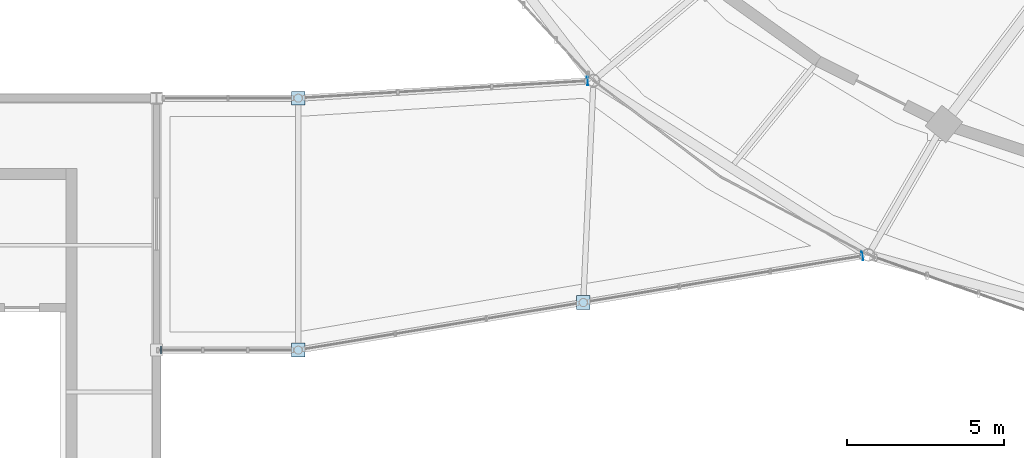
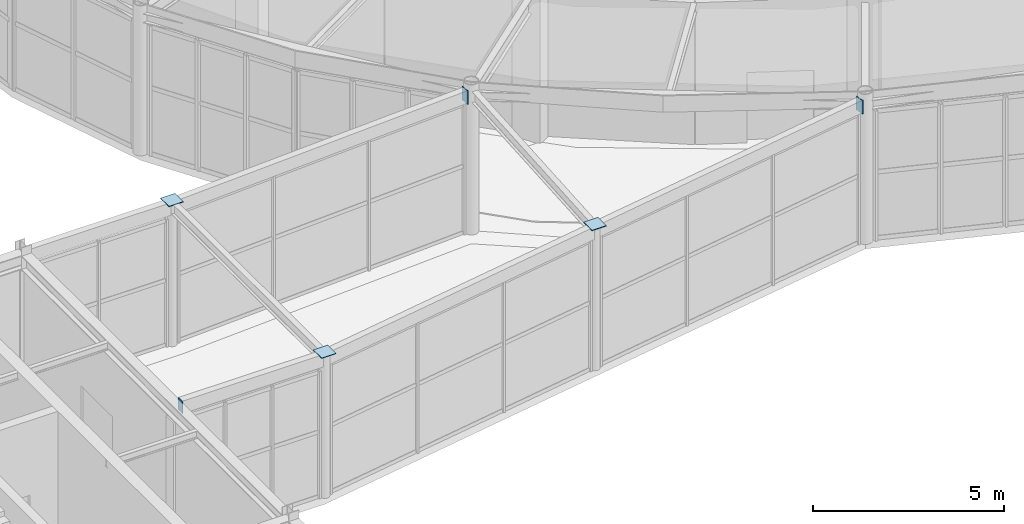
# One storey, part 76 of 100: 6 plates.
"""IFC4 building model written with IfcOpenShell, lengths in metres."""

from ifc_helpers import new_model, si_unit, direction, frame, origin, origin_2d, place, context, subcontext, project, spatial, rectangle, extrude, material, layer, layer_set, type_object, element, save


model = new_model("IFC4")

# Units and contexts
model_context = context("Model", 3, precision=1e-05, world=origin(), true_north=direction((0.0, 1.0)))
body_context = subcontext(model_context, "Body", "Model", "MODEL_VIEW")
ifc_project = project(units=[si_unit("LENGTHUNIT", "METRE"), si_unit("AREAUNIT", "SQUARE_METRE"), si_unit("VOLUMEUNIT", "CUBIC_METRE"), si_unit("PLANEANGLEUNIT", "RADIAN"), si_unit("MASSUNIT", "GRAM", prefix="KILO")], contexts=[model_context])

# Site, building, storey
site_placement = place(None, origin())
site = spatial("IfcSite", under=ifc_project, at=site_placement, CompositionType="ELEMENT")
building_placement = place(site_placement, origin())
building = spatial("IfcBuilding", under=site, at=building_placement, Name="Tarnveldt Headland Concert Hall", CompositionType="ELEMENT")
storey_placement = place(building_placement, frame((0.0, 0.0, 4.800048828125)))
storey = spatial("IfcBuildingStorey", under=building, at=storey_placement, Name="L01", CompositionType="ELEMENT", Elevation=4.800048828125)

# Plates
ifc_material = material(Name="Steel S355", Category="steel")
ifc_layer_1 = layer(ifc_material, 0.02001953125, Name="Steel S355", Category="steel")
ifc_layer_set_1 = layer_set([ifc_layer_1], Name="Steel S355")
plate_type_1 = type_object("IfcPlateType", Name="PL-CAP240", PredefinedType="SHEET", material=ifc_layer_set_1)
plate_placement = place(storey_placement, frame((44.639892578125, 30.0, 4.215087890625), z_axis=(0.0, 0.0, 1.0), x_axis=(1.0, 0.0, 0.0)))
element("IfcPlate", 1, at=plate_placement, inside=storey, type_object=plate_type_1, Name="Link beam west end cap plate L01-30", PredefinedType="SHEET", context=body_context, shape_type="SweptSolid", body=[
    extrude(rectangle(XDim=0.02001953125, YDim=0.239990234375, at=origin_2d()), origin(), (0.0, 0.0, 1.0), 0.3798828125),
])
ifc_layer_2 = layer(ifc_material, 0.02001953125, Name="Steel S355", Category="steel")
ifc_layer_set_2 = layer_set([ifc_layer_2], Name="Steel S355")
plate_type_2 = type_object("IfcPlateType", Name="PL-CAP280", PredefinedType="SHEET", material=ifc_layer_set_2)
for number, where, z_axis, x_axis, name in (
    (2, (66.91259765625, 32.9912109375, 4.18505859375), (0.0, 0.0, 1.0), (0.986343153931, 0.16470331719, 0.0), "Link beam east end cap plate L01-30"),
    (3, (58.18408203125, 38.547607421875, 4.18505859375), (0.0, 0.0, 1.0), (0.998229461805, 0.059480598389, 0.0), "Link beam east end cap plate L01-38"),
):
    element("IfcPlate", number, at=place(storey_placement, frame(where, z_axis=z_axis, x_axis=x_axis)), inside=storey, type_object=plate_type_2, Name=name, PredefinedType="SHEET", context=body_context, shape_type="SweptSolid", body=[
        extrude(rectangle(XDim=0.02001953125, YDim=0.280029296875, at=origin_2d()), origin(), (0.0, 0.0, 1.0), 0.43994140625),
    ])
ifc_layer_3 = layer(ifc_material, 0.02001953125, Name="Steel S355", Category="steel")
ifc_layer_set_3 = layer_set([ifc_layer_3], Name="Steel S355")
plate_type_3 = type_object("IfcPlateType", Name="PL-CAP440", PredefinedType="SHEET", material=ifc_layer_set_3)
for number, where, z_axis, x_axis, name in (
    (4, (49.0, 30.0, 4.5849609375), (0.0, 0.0, 1.0), (1.0, 0.0, 0.0), "Hollow column top cap plate V4LK01 L01"),
    (5, (49.0, 38.0, 4.5849609375), (0.0, 0.0, 1.0), (1.0, 0.0, 0.0), "Hollow column top cap plate V4LK02 L01"),
    (6, (58.050048828125, 31.51123046875, 4.5849609375), (0.0, 0.0, 1.0), (1.0, 0.0, 0.0), "Hollow column top cap plate V4LK03 L01"),
):
    element("IfcPlate", number, at=place(storey_placement, frame(where, z_axis=z_axis, x_axis=x_axis)), inside=storey, type_object=plate_type_3, Name=name, PredefinedType="SHEET", context=body_context, shape_type="SweptSolid", body=[
        extrude(rectangle(XDim=0.43994140625, YDim=0.43994140625, at=origin_2d()), origin(), (0.0, 0.0, 1.0), 0.02001953125),
    ])

save(model, "model.ifc")
